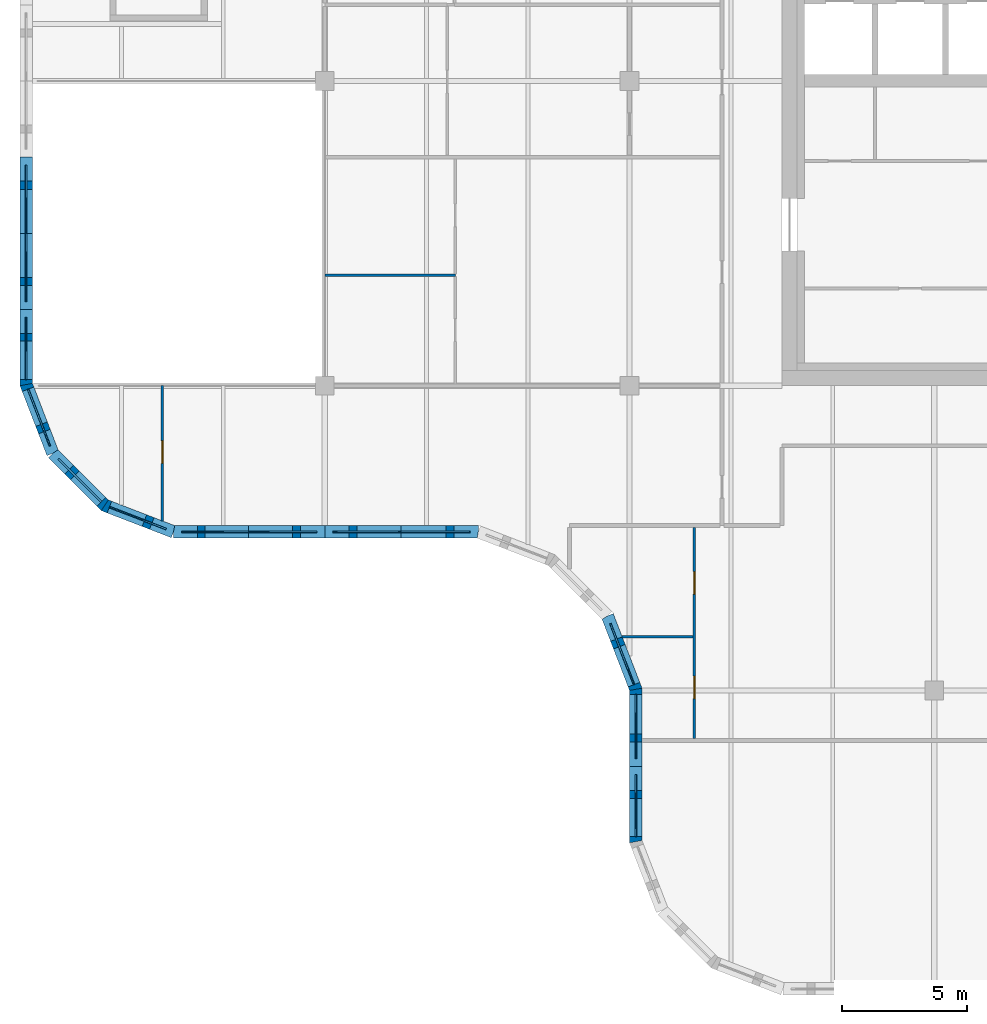
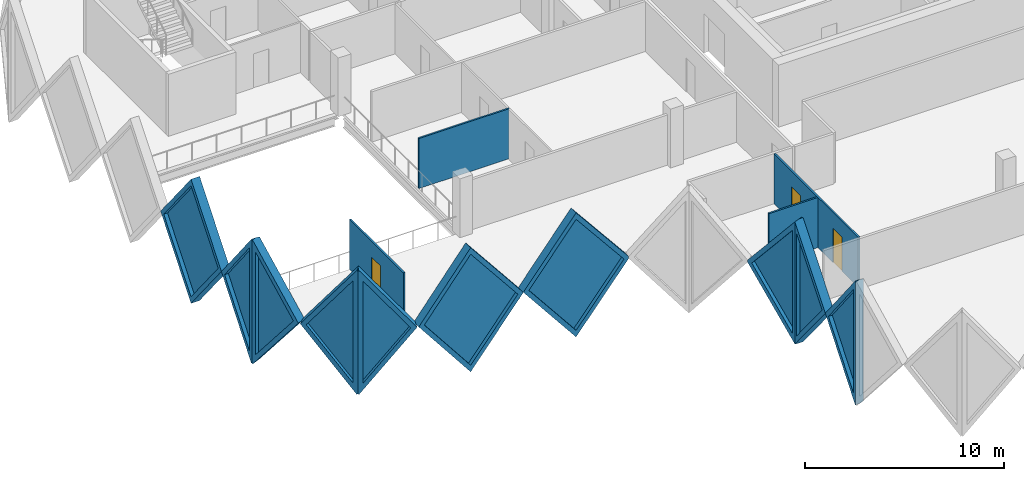
# One storey, part 3 of 12: 14 walls, 10 plates, 3 doors, 13 openings.
"""IFC4 building model written with IfcOpenShell, lengths in metres."""

from ifc_helpers import new_model, si_unit, direction, frame, frame_2d, origin, place, context, subcontext, project, spatial, polyline, rectangle, outline, extrude, faceted_brep, source, transform, mapped, material, layer, layer_set, type_object, element, fill, save


model = new_model("IFC4")

# Units and contexts
model_context = context("Model", 3, precision=1e-05, world=origin(), true_north=direction((0.0, 1.0)))
body_context = subcontext(model_context, "Body", "Model", "MODEL_VIEW")
ifc_project = project(units=[si_unit("LENGTHUNIT", "METRE"), si_unit("AREAUNIT", "SQUARE_METRE"), si_unit("VOLUMEUNIT", "CUBIC_METRE"), si_unit("PLANEANGLEUNIT", "RADIAN"), si_unit("MASSUNIT", "GRAM", prefix="KILO")], contexts=[model_context])

# Site, building, storey
site_placement = place(None, origin())
site = spatial("IfcSite", under=ifc_project, at=site_placement, CompositionType="ELEMENT")
building_placement = place(site_placement, origin())
building = spatial("IfcBuilding", under=site, at=building_placement, Name="Tessera Gate Towers", CompositionType="ELEMENT")
storey_placement = place(building_placement, frame((0.0, 0.0, 182.0)))
storey = spatial("IfcBuildingStorey", under=building, at=storey_placement, Name="L45", CompositionType="ELEMENT", Elevation=182.0)

# Wall, opening, door
ifc_material_1 = material(Name="Glass", Category="glass")
ifc_layer_1 = layer(ifc_material_1, 0.10009765625)
ifc_layer_set_1 = layer_set([ifc_layer_1], Name="GLAZED PARTITION 100")
wall_type_1 = type_object("IfcWallType", Name="GLAZED PARTITION 100", PredefinedType="PARTITIONING", material=ifc_layer_set_1)
wall_1_placement = place(storey_placement, frame((5.699951171875, 18.990234375, 0.0), z_axis=(0.0, 0.0, 1.0), x_axis=(0.0, 1.0, 0.0)))
wall_1 = element("IfcWall", 1, at=wall_1_placement, inside=storey, type_object=wall_type_1, Name="T1-L45-PW-019", PredefinedType="PARTITIONING", context=body_context, shape_type="SweptSolid", body=[
    extrude(rectangle(XDim=5.40966796875, YDim=0.10009765625, at=frame_2d((2.704833984375, 0.0))), origin(), (0.0, 0.0, 1.0), 3.06689453125),
])
shared_shape_1 = source(origin(), body_context, "Body", "SweptSolid", [
    extrude(rectangle(XDim=0.89990234375, YDim=2.10009765625, at=frame_2d((0.449951171875, 1.050048828125))), frame((0.0, 0.06005859375, 0.0), z_axis=(0.0, -1.0, 0.0), x_axis=(1.0, 0.0, 0.0)), (0.0, 0.0, 1.0), 0.1201171875),
])
opening_1_placement = place(wall_1_placement, frame((2.300048828125, 0.0, 0.0)))
opening_1 = element("IfcOpeningElement", 2, at=opening_1_placement, cuts=wall_1, Name="Opening D690-A16-03", PredefinedType="OPENING", context=body_context, shape_type="MappedRepresentation", body=[
    mapped(shared_shape_1, transform((0.0, 0.0, 0.0), scale=1.0)),
])
ifc_material_2 = material(Name="Glass in aluminium frame", Category="aluminium")
door_type_1 = type_object("IfcDoorType", Name="GLAZED DOOR 900 NOT RATED", OperationType="NOTDEFINED", PredefinedType="DOOR", material=ifc_material_2)
shared_shape_2 = source(origin(), body_context, "Body", "SweptSolid", [
    extrude(rectangle(XDim=0.89990234375, YDim=2.10009765625, at=frame_2d((0.449951171875, 1.050048828125))), frame((0.0, 0.02490234375, 0.0), z_axis=(0.0, -1.0, 0.0), x_axis=(1.0, 0.0, 0.0)), (0.0, 0.0, 1.0), 0.050048828125),
])
door_1_placement = place(opening_1_placement, origin())
door_1 = element("IfcDoor", 3, at=door_1_placement, inside=storey, type_object=door_type_1, Name="T1-L45-PD-015", OperationType="SINGLE_SWING_LEFT", OverallHeight=2.10009765625, OverallWidth=0.89990234375, PredefinedType="DOOR", context=body_context, shape_type="MappedRepresentation", body=[
    mapped(shared_shape_2, transform((0.0, 0.0, 0.0), scale=1.0)),
])
fill(opening_1, door_1)

# Wall, openings, doors
ifc_material_3 = material(Name="Gypsum board on steel studs", Category="steel")
ifc_layer_2 = layer(ifc_material_3, 0.10009765625)
ifc_layer_set_2 = layer_set([ifc_layer_2], Name="PARTITION 100")
wall_type_2 = type_object("IfcWallType", Name="PARTITION 100", PredefinedType="PARTITIONING", material=ifc_layer_set_2)
wall_2_placement = place(storey_placement, frame((27.0, 10.27587890625, 0.0), z_axis=(0.0, 0.0, 1.0), x_axis=(0.0, 1.0, 0.0)))
wall_2 = element("IfcWall", 4, at=wall_2_placement, inside=storey, type_object=wall_type_2, Name="T1-L45-PW-007", PredefinedType="PARTITIONING", context=body_context, shape_type="SweptSolid", body=[
    extrude(rectangle(XDim=8.4482421875, YDim=0.10009765625, at=frame_2d((4.22412109375, 0.0))), origin(), (0.0, 0.0, 1.0), 3.06689453125),
])
opening_2_placement = place(wall_2_placement, frame((1.60009765625, 0.0, 0.0)))
opening_2 = element("IfcOpeningElement", 5, at=opening_2_placement, cuts=wall_2, Name="Opening D190-A16-01", PredefinedType="OPENING", context=body_context, shape_type="MappedRepresentation", body=[
    mapped(shared_shape_1, transform((0.0, 0.0, 0.0), scale=1.0)),
])
opening_3_placement = place(wall_2_placement, frame((5.778564453125, 0.0, 0.0)))
opening_3 = element("IfcOpeningElement", 6, at=opening_3_placement, cuts=wall_2, Name="Opening D190-A16-04", PredefinedType="OPENING", context=body_context, shape_type="MappedRepresentation", body=[
    mapped(shared_shape_1, transform((0.0, 0.0, 0.0), scale=1.0)),
])
ifc_material_4 = material(Name="Timber door leaf in steel frame", Category="steel")
door_type_2 = type_object("IfcDoorType", Name="INTERNAL DOOR 900 NOT RATED", OperationType="NOTDEFINED", PredefinedType="DOOR", material=ifc_material_4)
door_2_placement = place(opening_2_placement, origin())
door_2 = element("IfcDoor", 7, at=door_2_placement, inside=storey, type_object=door_type_2, Name="T1-L45-PD-002", OperationType="SINGLE_SWING_LEFT", OverallHeight=2.10009765625, OverallWidth=0.89990234375, PredefinedType="DOOR", context=body_context, shape_type="MappedRepresentation", body=[
    mapped(shared_shape_2, transform((0.0, 0.0, 0.0), scale=1.0)),
])
fill(opening_2, door_2)
door_3_placement = place(opening_3_placement, origin())
door_3 = element("IfcDoor", 8, at=door_3_placement, inside=storey, type_object=door_type_2, Name="T1-L45-PD-005", OperationType="SINGLE_SWING_LEFT", OverallHeight=2.10009765625, OverallWidth=0.89990234375, PredefinedType="DOOR", context=body_context, shape_type="MappedRepresentation", body=[
    mapped(shared_shape_2, transform((0.0, 0.0, 0.0), scale=1.0)),
])
fill(opening_3, door_3)

# Walls
wall_3_placement = place(storey_placement, frame((24.104736328125, 14.35498046875, 0.0), z_axis=(0.0, 0.0, 1.0), x_axis=(1.0, 0.0, 0.0)))
element("IfcWall", 9, at=wall_3_placement, inside=storey, type_object=wall_type_2, Name="T1-L45-PW-010", PredefinedType="PARTITIONING", context=body_context, shape_type="SweptSolid", body=[
    extrude(rectangle(XDim=2.84423828125, YDim=0.10009765625, at=frame_2d((1.422119140625, 0.0))), origin(), (0.0, 0.0, 1.0), 3.06689453125),
])
wall_4_placement = place(storey_placement, frame((12.199951171875, 28.820068359375, 0.0), z_axis=(0.0, 0.0, 1.0), x_axis=(1.0, 0.0, 0.0)))
element("IfcWall", 10, at=wall_4_placement, inside=storey, type_object=wall_type_2, Name="T1-L45-PW-027", PredefinedType="PARTITIONING", context=body_context, shape_type="SweptSolid", body=[
    extrude(rectangle(XDim=5.22509765625, YDim=0.10009765625, at=frame_2d((2.612548828125, 0.0))), origin(), (0.0, 0.0, 1.0), 3.06689453125),
])

# Wall, opening, plate
ifc_material_5 = material(Name="Precast concrete C60/75 white", Category="concrete")
ifc_layer_3 = layer(ifc_material_5, 0.5)
ifc_layer_set_3 = layer_set([ifc_layer_3], Name="TS1 tessera")
wall_type_3 = type_object("IfcWallType", Name="TS1 tessera", PredefinedType="SOLIDWALL", material=ifc_layer_set_3)
shared_shape_3 = source(origin(), body_context, "Body", "Brep", [
    faceted_brep([(3.00341796875, -0.25, 0.0), (6.053466796875, -0.25, 3.800048828125), (3.00341796875, -0.25, 7.60009765625), (0.0, -0.25, 3.800048828125), (0.046630859375, 0.25, 3.85888671875), (3.00341796875, 0.25, 7.60009765625), (6.053466796875, 0.25, 3.800048828125), (3.00341796875, 0.25, 0.0), (0.046630859375, 0.25, 3.7412109375), (0.0, 0.0, 3.800048828125)], [[[0, 1, 2, 3]], [[4, 5, 6, 7, 8]], [[7, 6, 1, 0]], [[6, 5, 2, 1]], [[5, 4, 9, 3, 2]], [[8, 7, 0, 3, 9]], [[8, 9, 4]]]),
])
wall_5_placement = place(storey_placement, frame((6.146484375, 18.550048828125, -3.800048828125), z_axis=(0.0, 0.0, 1.0), x_axis=(1.0, 0.0, 0.0)))
wall_5 = element("IfcWall", 11, at=wall_5_placement, inside=storey, type_object=wall_type_3, Name="Precast tessera T1 TS1-0803", PredefinedType="SOLIDWALL", context=body_context, shape_type="MappedRepresentation", body=[
    mapped(shared_shape_3, transform((0.0, 0.0, 0.0), scale=1.0)),
])
shared_shape_4 = source(origin(), body_context, "Body", "SweptSolid", [
    extrude(outline(polyline([(3.0048828125, 0.4013671875), (5.73291015625, 3.800048828125), (3.0048828125, 7.19873046875), (0.318603515625, 3.800048828125), (3.0048828125, 0.4013671875)])), frame((0.0, 0.260009765625, 0.0), z_axis=(0.0, -1.0, 0.0), x_axis=(1.0, 0.0, 0.0)), (0.0, 0.0, 1.0), 0.52001953125),
])
opening_4_placement = place(wall_5_placement, origin())
opening_4 = element("IfcOpeningElement", 12, at=opening_4_placement, cuts=wall_5, Name="Opening T1-PL2-1635", PredefinedType="OPENING", context=body_context, shape_type="MappedRepresentation", body=[
    mapped(shared_shape_4, transform((0.0, 0.0, 0.0), scale=1.0)),
])
ifc_material_6 = material(Name="Low-e laminated glass", Category="glass")
ifc_layer_4 = layer(ifc_material_6, 0.06005859375)
ifc_layer_set_4 = layer_set([ifc_layer_4], Name="PL2 rhombic pane")
plate_type = type_object("IfcPlateType", Name="PL2 rhombic pane", PredefinedType="SHEET", material=ifc_layer_set_4)
shared_shape_5 = source(origin(), body_context, "Body", "SweptSolid", [
    extrude(outline(polyline([(3.0048828125, 0.4013671875), (5.73291015625, 3.800048828125), (3.0048828125, 7.19873046875), (0.318603515625, 3.800048828125), (3.0048828125, 0.4013671875)])), frame((0.0, 0.030029296875, 0.0), z_axis=(0.0, -1.0, 0.0), x_axis=(1.0, 0.0, 0.0)), (0.0, 0.0, 1.0), 0.06005859375),
])
plate_1_placement = place(opening_4_placement, origin())
plate_1 = element("IfcPlate", 13, at=plate_1_placement, inside=storey, type_object=plate_type, Name="Glass pane T1 PL2-1635", PredefinedType="SHEET", context=body_context, shape_type="MappedRepresentation", body=[
    mapped(shared_shape_5, transform((0.0, 0.0, 0.0), scale=1.0)),
])
fill(opening_4, plate_1)

shared_shape_6 = source(origin(), body_context, "Body", "SweptSolid", [
    extrude(outline(polyline([(3.050048828125, 0.0), (6.10009765625, 3.800048828125), (3.050048828125, 7.60009765625), (0.0, 3.800048828125), (3.050048828125, 0.0)])), frame((0.0, 0.25, 0.0), z_axis=(0.0, -1.0, 0.0), x_axis=(1.0, 0.0, 0.0)), (0.0, 0.0, 1.0), 0.5),
])
wall_6_placement = place(storey_placement, frame((0.25, 33.550048828125, -3.800048828125), z_axis=(0.0, 0.0, 1.0), x_axis=(0.0, -1.0, 0.0)))
wall_6 = element("IfcWall", 14, at=wall_6_placement, inside=storey, type_object=wall_type_3, Name="Precast tessera T1 TS1-0802", PredefinedType="SOLIDWALL", context=body_context, shape_type="MappedRepresentation", body=[
    mapped(shared_shape_6, transform((0.0, 0.0, 0.0), scale=1.0)),
])
shared_shape_7 = source(origin(), body_context, "Body", "SweptSolid", [
    extrude(outline(polyline([(3.050048828125, 0.3994140625), (5.779541015625, 3.800048828125), (3.050048828125, 7.20068359375), (0.320556640625, 3.800048828125), (3.050048828125, 0.3994140625)])), frame((0.0, 0.260009765625, 0.0), z_axis=(0.0, -1.0, 0.0), x_axis=(1.0, 0.0, 0.0)), (0.0, 0.0, 1.0), 0.52001953125),
])
opening_5_placement = place(wall_6_placement, origin())
opening_5 = element("IfcOpeningElement", 15, at=opening_5_placement, cuts=wall_6, Name="Opening T1-PL2-1630", PredefinedType="OPENING", context=body_context, shape_type="MappedRepresentation", body=[
    mapped(shared_shape_7, transform((0.0, 0.0, 0.0), scale=1.0)),
])
shared_shape_8 = source(origin(), body_context, "Body", "SweptSolid", [
    extrude(outline(polyline([(3.050048828125, 0.3994140625), (5.779541015625, 3.800048828125), (3.050048828125, 7.20068359375), (0.320556640625, 3.800048828125), (3.050048828125, 0.3994140625)])), frame((0.0, 0.030029296875, 0.0), z_axis=(0.0, -1.0, 0.0), x_axis=(1.0, 0.0, 0.0)), (0.0, 0.0, 1.0), 0.06005859375),
])
plate_2_placement = place(opening_5_placement, origin())
plate_2 = element("IfcPlate", 16, at=plate_2_placement, inside=storey, type_object=plate_type, Name="Glass pane T1 PL2-1630", PredefinedType="SHEET", context=body_context, shape_type="MappedRepresentation", body=[
    mapped(shared_shape_8, transform((0.0, 0.0, 0.0), scale=1.0)),
])
fill(opening_5, plate_2)

ifc_material_7 = material(Name="Precast concrete C60/75 white", Category="concrete")
ifc_layer_5 = layer(ifc_material_7, 0.5)
ifc_layer_set_5 = layer_set([ifc_layer_5], Name="TS3 corner tessera")
wall_type_4 = type_object("IfcWallType", Name="TS3 corner tessera", PredefinedType="SOLIDWALL", material=ifc_layer_set_5)
shared_shape_9 = source(origin(), body_context, "Body", "Brep", [
    faceted_brep([(3.00341796875, -0.25, 0.0), (3.050048828125, -0.25, 0.06005859375), (3.050048828125, -0.25, 7.5400390625), (3.00341796875, -0.25, 7.60009765625), (0.0, -0.25, 3.800048828125), (0.0, 0.25, 3.800048828125), (2.956787109375, 0.25, 7.541259765625), (2.956787109375, 0.25, 0.058837890625), (3.00341796875, 0.000244140625, 0.0), (3.00341796875, 0.000244140625, 7.60009765625)], [[[0, 1, 2, 3, 4]], [[5, 6, 7]], [[1, 0, 8]], [[9, 3, 2]], [[6, 5, 4, 3, 9]], [[5, 7, 8, 0, 4]], [[1, 8, 7, 6, 9, 2]]]),
])
wall_7_placement = place(storey_placement, frame((0.25, 27.449951171875, -3.800048828125), z_axis=(0.0, 0.0, 1.0), x_axis=(0.0, -1.0, 0.0)))
wall_7 = element("IfcWall", 17, at=wall_7_placement, inside=storey, type_object=wall_type_4, Name="Precast corner tessera T1 TS3-1045", PredefinedType="SOLIDWALL", context=body_context, shape_type="MappedRepresentation", body=[
    mapped(shared_shape_9, transform((0.0, 0.0, 0.0), scale=1.0)),
])
shared_shape_10 = source(origin(), body_context, "Body", "SweptSolid", [
    extrude(outline(polyline([(2.803466796875, 6.94384765625), (0.318603515625, 3.800048828125), (2.803466796875, 0.65625), (2.803466796875, 6.94384765625)])), frame((0.0, 0.260009765625, 0.0), z_axis=(0.0, -1.0, 0.0), x_axis=(1.0, 0.0, 0.0)), (0.0, 0.0, 1.0), 0.52001953125),
])
opening_6_placement = place(wall_7_placement, origin())
opening_6 = element("IfcOpeningElement", 18, at=opening_6_placement, cuts=wall_7, Name="Opening T1-PL2-1631", PredefinedType="OPENING", context=body_context, shape_type="MappedRepresentation", body=[
    mapped(shared_shape_10, transform((0.0, 0.0, 0.0), scale=1.0)),
])
shared_shape_11 = source(origin(), body_context, "Body", "SweptSolid", [
    extrude(outline(polyline([(2.803466796875, 6.94384765625), (0.318603515625, 3.800048828125), (2.803466796875, 0.65625), (2.803466796875, 6.94384765625)])), frame((0.0, 0.030029296875, 0.0), z_axis=(0.0, -1.0, 0.0), x_axis=(1.0, 0.0, 0.0)), (0.0, 0.0, 1.0), 0.06005859375),
])
plate_3_placement = place(opening_6_placement, origin())
plate_3 = element("IfcPlate", 19, at=plate_3_placement, inside=storey, type_object=plate_type, Name="Glass pane T1 PL2-1631", PredefinedType="SHEET", context=body_context, shape_type="MappedRepresentation", body=[
    mapped(shared_shape_11, transform((0.0, 0.0, 0.0), scale=1.0)),
])
fill(opening_6, plate_3)

wall_8_placement = place(storey_placement, frame((24.64990234375, 9.14990234375, -3.800048828125), z_axis=(0.0, 0.0, 1.0), x_axis=(0.0, -1.0, 0.0)))
wall_8 = element("IfcWall", 20, at=wall_8_placement, inside=storey, type_object=wall_type_4, Name="Precast corner tessera T1 TS3-1053", PredefinedType="SOLIDWALL", context=body_context, shape_type="MappedRepresentation", body=[
    mapped(shared_shape_9, transform((0.0, 0.0, 0.0), scale=1.0)),
])
opening_7_placement = place(wall_8_placement, origin())
opening_7 = element("IfcOpeningElement", 21, at=opening_7_placement, cuts=wall_8, Name="Opening T1-PL2-1641", PredefinedType="OPENING", context=body_context, shape_type="MappedRepresentation", body=[
    mapped(shared_shape_10, transform((0.0, 0.0, 0.0), scale=1.0)),
])
plate_4_placement = place(opening_7_placement, origin())
plate_4 = element("IfcPlate", 22, at=plate_4_placement, inside=storey, type_object=plate_type, Name="Glass pane T1 PL2-1641", PredefinedType="SHEET", context=body_context, shape_type="MappedRepresentation", body=[
    mapped(shared_shape_11, transform((0.0, 0.0, 0.0), scale=1.0)),
])
fill(opening_7, plate_4)

shared_shape_12 = source(origin(), body_context, "Body", "Brep", [
    faceted_brep([(0.046630859375, -0.25, 0.0), (2.9970703125, -0.25, 3.800048828125), (0.046630859375, -0.25, 7.60009765625), (0.0, -0.25, 7.541259765625), (0.0, -0.25, 0.058837890625), (0.09326171875, 0.25, 7.5400390625), (2.9443359375, 0.25, 3.8681640625), (2.9443359375, 0.25, 3.73193359375), (0.09326171875, 0.25, 0.06005859375), (2.9970703125, 0.00048828125, 3.800048828125), (0.046630859375, 0.0, 0.0), (0.046630859375, 0.0, 7.60009765625)], [[[0, 1, 2, 3, 4]], [[5, 6, 7, 8]], [[8, 7, 9, 1, 0, 10]], [[6, 5, 11, 2, 1, 9]], [[3, 2, 11]], [[10, 0, 4]], [[8, 10, 4, 3, 11, 5]], [[9, 7, 6]]]),
])
wall_9_placement = place(storey_placement, frame((0.233154296875, 24.489990234375, -3.800048828125), z_axis=(0.0, 0.0, 1.0), x_axis=(0.359901446078, -0.932990326376, 0.0)))
wall_9 = element("IfcWall", 23, at=wall_9_placement, inside=storey, type_object=wall_type_4, Name="Precast corner tessera T1 TS3-1046", PredefinedType="SOLIDWALL", context=body_context, shape_type="MappedRepresentation", body=[
    mapped(shared_shape_12, transform((0.0, 0.0, 0.0), scale=1.0)),
])
shared_shape_13 = source(origin(), body_context, "Body", "SweptSolid", [
    extrude(outline(polyline([(0.24658203125, 0.665283203125), (2.6806640625, 3.800048828125), (0.24658203125, 6.934814453125), (0.24658203125, 0.665283203125)])), frame((0.0, 0.260009765625, 0.0), z_axis=(0.0, -1.0, 0.0), x_axis=(1.0, 0.0, 0.0)), (0.0, 0.0, 1.0), 0.52001953125),
])
opening_8_placement = place(wall_9_placement, origin())
opening_8 = element("IfcOpeningElement", 24, at=opening_8_placement, cuts=wall_9, Name="Opening T1-PL2-1632", PredefinedType="OPENING", context=body_context, shape_type="MappedRepresentation", body=[
    mapped(shared_shape_13, transform((0.0, 0.0, 0.0), scale=1.0)),
])
shared_shape_14 = source(origin(), body_context, "Body", "SweptSolid", [
    extrude(outline(polyline([(0.24658203125, 0.665283203125), (2.6806640625, 3.800048828125), (0.24658203125, 6.934814453125), (0.24658203125, 0.665283203125)])), frame((0.0, 0.030029296875, 0.0), z_axis=(0.0, -1.0, 0.0), x_axis=(1.0, 0.0, 0.0)), (0.0, 0.0, 1.0), 0.06005859375),
])
plate_5_placement = place(opening_8_placement, origin())
plate_5 = element("IfcPlate", 25, at=plate_5_placement, inside=storey, type_object=plate_type, Name="Glass pane T1 PL2-1632", PredefinedType="SHEET", context=body_context, shape_type="MappedRepresentation", body=[
    mapped(shared_shape_14, transform((0.0, 0.0, 0.0), scale=1.0)),
])
fill(opening_8, plate_5)

shared_shape_15 = source(origin(), body_context, "Body", "Brep", [
    faceted_brep([(0.052978515625, -0.25, 0.0), (3.00341796875, -0.25, 3.800048828125), (0.052978515625, -0.25, 7.60009765625), (0.0, -0.25, 7.53173828125), (0.0, -0.25, 0.068359375), (0.10595703125, 0.25, 7.531982421875), (2.95703125, 0.25, 3.85986328125), (2.95703125, 0.25, 3.740234375), (0.10595703125, 0.25, 0.068115234375), (3.00341796875, 0.00048828125, 3.800048828125), (0.052978515625, 0.0, 0.0), (0.052978515625, 0.0, 7.60009765625)], [[[0, 1, 2, 3, 4]], [[5, 6, 7, 8]], [[8, 7, 9, 1, 0, 10]], [[6, 5, 11, 2, 1, 9]], [[3, 2, 11]], [[10, 0, 4]], [[8, 10, 4, 3, 11, 5]], [[9, 7, 6]]]),
])
wall_10_placement = place(storey_placement, frame((3.34423828125, 19.630859375, -3.800048828125), z_axis=(0.0, 0.0, 1.0), x_axis=(0.933007896601, -0.359855894603, 0.0)))
wall_10 = element("IfcWall", 26, at=wall_10_placement, inside=storey, type_object=wall_type_4, Name="Precast corner tessera T1 TS3-1048", PredefinedType="SOLIDWALL", context=body_context, shape_type="MappedRepresentation", body=[
    mapped(shared_shape_15, transform((0.0, 0.0, 0.0), scale=1.0)),
])
shared_shape_16 = source(origin(), body_context, "Body", "SweptSolid", [
    extrude(outline(polyline([(0.2529296875, 0.665283203125), (2.68701171875, 3.800048828125), (0.2529296875, 6.934814453125), (0.2529296875, 0.665283203125)])), frame((0.0, 0.260009765625, 0.0), z_axis=(0.0, -1.0, 0.0), x_axis=(1.0, 0.0, 0.0)), (0.0, 0.0, 1.0), 0.52001953125),
])
opening_9_placement = place(wall_10_placement, origin())
opening_9 = element("IfcOpeningElement", 27, at=opening_9_placement, cuts=wall_10, Name="Opening T1-PL2-1634", PredefinedType="OPENING", context=body_context, shape_type="MappedRepresentation", body=[
    mapped(shared_shape_16, transform((0.0, 0.0, 0.0), scale=1.0)),
])
shared_shape_17 = source(origin(), body_context, "Body", "SweptSolid", [
    extrude(outline(polyline([(0.2529296875, 0.665283203125), (2.68701171875, 3.800048828125), (0.2529296875, 6.934814453125), (0.2529296875, 0.665283203125)])), frame((0.0, 0.030029296875, 0.0), z_axis=(0.0, -1.0, 0.0), x_axis=(1.0, 0.0, 0.0)), (0.0, 0.0, 1.0), 0.06005859375),
])
plate_6_placement = place(opening_9_placement, origin())
plate_6 = element("IfcPlate", 28, at=plate_6_placement, inside=storey, type_object=plate_type, Name="Glass pane T1 PL2-1634", PredefinedType="SHEET", context=body_context, shape_type="MappedRepresentation", body=[
    mapped(shared_shape_17, transform((0.0, 0.0, 0.0), scale=1.0)),
])
fill(opening_9, plate_6)

shared_shape_18 = source(origin(), body_context, "Body", "Brep", [
    faceted_brep([(2.944091796875, -0.25, 0.0), (2.9970703125, -0.25, 0.068115234375), (2.9970703125, -0.25, 7.531982421875), (2.944091796875, -0.25, 7.60009765625), (0.0, -0.25, 3.800048828125), (0.052978515625, 0.25, 3.868408203125), (2.89111328125, 0.25, 7.531982421875), (2.89111328125, 0.25, 0.068115234375), (0.052978515625, 0.25, 3.731689453125), (2.944091796875, 0.000244140625, 0.0), (2.944091796875, 0.000244140625, 7.60009765625), (0.0, 0.0, 3.800048828125)], [[[0, 1, 2, 3, 4]], [[5, 6, 7, 8]], [[1, 0, 9]], [[10, 3, 2]], [[6, 5, 11, 4, 3, 10]], [[8, 7, 9, 0, 4, 11]], [[8, 11, 5]], [[1, 9, 7, 6, 10, 2]]]),
])
wall_11_placement = place(storey_placement, frame((1.31201171875, 21.69384765625, -3.800048828125), z_axis=(0.0, 0.0, 1.0), x_axis=(0.707066050402, -0.707147509625, 0.0)))
wall_11 = element("IfcWall", 29, at=wall_11_placement, inside=storey, type_object=wall_type_4, Name="Precast corner tessera T1 TS3-1047", PredefinedType="SOLIDWALL", context=body_context, shape_type="MappedRepresentation", body=[
    mapped(shared_shape_18, transform((0.0, 0.0, 0.0), scale=1.0)),
])
shared_shape_19 = source(origin(), body_context, "Body", "SweptSolid", [
    extrude(outline(polyline([(2.744140625, 6.933837890625), (0.316162109375, 3.800048828125), (2.744140625, 0.666259765625), (2.744140625, 6.933837890625)])), frame((0.0, 0.260009765625, 0.0), z_axis=(0.0, -1.0, 0.0), x_axis=(1.0, 0.0, 0.0)), (0.0, 0.0, 1.0), 0.52001953125),
])
opening_10_placement = place(wall_11_placement, origin())
opening_10 = element("IfcOpeningElement", 30, at=opening_10_placement, cuts=wall_11, Name="Opening T1-PL2-1633", PredefinedType="OPENING", context=body_context, shape_type="MappedRepresentation", body=[
    mapped(shared_shape_19, transform((0.0, 0.0, 0.0), scale=1.0)),
])
shared_shape_20 = source(origin(), body_context, "Body", "SweptSolid", [
    extrude(outline(polyline([(2.744140625, 6.933837890625), (0.316162109375, 3.800048828125), (2.744140625, 0.666259765625), (2.744140625, 6.933837890625)])), frame((0.0, 0.030029296875, 0.0), z_axis=(0.0, -1.0, 0.0), x_axis=(1.0, 0.0, 0.0)), (0.0, 0.0, 1.0), 0.06005859375),
])
plate_7_placement = place(opening_10_placement, origin())
plate_7 = element("IfcPlate", 31, at=plate_7_placement, inside=storey, type_object=plate_type, Name="Glass pane T1 PL2-1633", PredefinedType="SHEET", context=body_context, shape_type="MappedRepresentation", body=[
    mapped(shared_shape_20, transform((0.0, 0.0, 0.0), scale=1.0)),
])
fill(opening_10, plate_7)

shared_shape_21 = source(origin(), body_context, "Body", "Brep", [
    faceted_brep([(3.050048828125, -0.25, 0.0), (6.10009765625, -0.25, 3.742919921875), (6.10009765625, -0.25, 3.857177734375), (3.050048828125, -0.25, 7.60009765625), (0.0, -0.25, 3.800048828125), (0.0, 0.25, 3.800048828125), (3.050048828125, 0.25, 7.60009765625), (6.146484375, 0.25, 3.800048828125), (3.050048828125, 0.25, 0.0), (6.146484375, -0.000244140625, 3.800048828125)], [[[0, 1, 2, 3, 4]], [[5, 6, 7, 8]], [[8, 7, 9, 1, 0]], [[7, 6, 3, 2, 9]], [[6, 5, 4, 3]], [[5, 8, 0, 4]], [[1, 9, 2]]]),
])
wall_12_placement = place(storey_placement, frame((12.199951171875, 18.550048828125, -3.800048828125), z_axis=(0.0, 0.0, 1.0), x_axis=(1.0, 0.0, 0.0)))
wall_12 = element("IfcWall", 32, at=wall_12_placement, inside=storey, type_object=wall_type_3, Name="Precast tessera T1 TS1-0804", PredefinedType="SOLIDWALL", context=body_context, shape_type="MappedRepresentation", body=[
    mapped(shared_shape_21, transform((0.0, 0.0, 0.0), scale=1.0)),
])
shared_shape_22 = source(origin(), body_context, "Body", "SweptSolid", [
    extrude(outline(polyline([(3.051513671875, 0.397705078125), (5.823974609375, 3.800048828125), (3.051513671875, 7.202392578125), (0.320556640625, 3.800048828125), (3.051513671875, 0.397705078125)])), frame((0.0, 0.260009765625, 0.0), z_axis=(0.0, -1.0, 0.0), x_axis=(1.0, 0.0, 0.0)), (0.0, 0.0, 1.0), 0.52001953125),
])
opening_11_placement = place(wall_12_placement, origin())
opening_11 = element("IfcOpeningElement", 33, at=opening_11_placement, cuts=wall_12, Name="Opening T1-PL2-1636", PredefinedType="OPENING", context=body_context, shape_type="MappedRepresentation", body=[
    mapped(shared_shape_22, transform((0.0, 0.0, 0.0), scale=1.0)),
])
shared_shape_23 = source(origin(), body_context, "Body", "SweptSolid", [
    extrude(outline(polyline([(3.051513671875, 0.397705078125), (5.823974609375, 3.800048828125), (3.051513671875, 7.202392578125), (0.320556640625, 3.800048828125), (3.051513671875, 0.397705078125)])), frame((0.0, 0.030029296875, 0.0), z_axis=(0.0, -1.0, 0.0), x_axis=(1.0, 0.0, 0.0)), (0.0, 0.0, 1.0), 0.06005859375),
])
plate_8_placement = place(opening_11_placement, origin())
plate_8 = element("IfcPlate", 34, at=plate_8_placement, inside=storey, type_object=plate_type, Name="Glass pane T1 PL2-1636", PredefinedType="SHEET", context=body_context, shape_type="MappedRepresentation", body=[
    mapped(shared_shape_23, transform((0.0, 0.0, 0.0), scale=1.0)),
])
fill(opening_11, plate_8)

shared_shape_24 = source(origin(), body_context, "Body", "Brep", [
    faceted_brep([(3.10302734375, -0.25, 7.5439453125), (0.052978515625, -0.25, 3.864013671875), (0.052978515625, -0.25, 3.736083984375), (3.10302734375, -0.25, 0.05615234375), (0.0, 0.25, 3.800048828125), (3.1494140625, 0.25, 7.60009765625), (3.196044921875, 0.25, 7.54296875), (3.196044921875, 0.25, 0.05712890625), (3.1494140625, 0.25, 0.0), (3.1494140625, -0.000244140625, 0.0), (3.1494140625, -0.000244140625, 7.60009765625), (0.0, 0.0, 3.800048828125)], [[[0, 1, 2, 3]], [[4, 5, 6, 7, 8]], [[8, 7, 9]], [[6, 5, 10]], [[5, 4, 11, 1, 0, 10]], [[4, 8, 9, 3, 2, 11]], [[11, 2, 1]], [[3, 9, 7, 6, 10, 0]]]),
])
wall_13_placement = place(storey_placement, frame((23.5166015625, 15.18505859375, -3.800048828125), z_axis=(0.0, 0.0, 1.0), x_axis=(0.359864468756, -0.933004589553, 0.0)))
wall_13 = element("IfcWall", 35, at=wall_13_placement, inside=storey, type_object=wall_type_4, Name="Precast corner tessera T1 TS3-1051", PredefinedType="SOLIDWALL", context=body_context, shape_type="MappedRepresentation", body=[
    mapped(shared_shape_24, transform((0.0, 0.0, 0.0), scale=1.0)),
])
shared_shape_25 = source(origin(), body_context, "Body", "SweptSolid", [
    extrude(outline(polyline([(2.949462890625, 6.967041015625), (0.32470703125, 3.800048828125), (2.949462890625, 0.633056640625), (2.949462890625, 6.967041015625)])), frame((0.0, 0.260009765625, 0.0), z_axis=(0.0, -1.0, 0.0), x_axis=(1.0, 0.0, 0.0)), (0.0, 0.0, 1.0), 0.52001953125),
])
opening_12_placement = place(wall_13_placement, origin())
opening_12 = element("IfcOpeningElement", 36, at=opening_12_placement, cuts=wall_13, Name="Opening T1-PL2-1639", PredefinedType="OPENING", context=body_context, shape_type="MappedRepresentation", body=[
    mapped(shared_shape_25, transform((0.0, 0.0, 0.0), scale=1.0)),
])
shared_shape_26 = source(origin(), body_context, "Body", "SweptSolid", [
    extrude(outline(polyline([(2.949462890625, 6.967041015625), (0.32470703125, 3.800048828125), (2.949462890625, 0.633056640625), (2.949462890625, 6.967041015625)])), frame((0.0, 0.030029296875, 0.0), z_axis=(0.0, -1.0, 0.0), x_axis=(1.0, 0.0, 0.0)), (0.0, 0.0, 1.0), 0.06005859375),
])
plate_9_placement = place(opening_12_placement, origin())
plate_9 = element("IfcPlate", 37, at=plate_9_placement, inside=storey, type_object=plate_type, Name="Glass pane T1 PL2-1639", PredefinedType="SHEET", context=body_context, shape_type="MappedRepresentation", body=[
    mapped(shared_shape_26, transform((0.0, 0.0, 0.0), scale=1.0)),
])
fill(opening_12, plate_9)

shared_shape_27 = source(origin(), body_context, "Body", "Brep", [
    faceted_brep([(0.09326171875, -0.25, 0.05712890625), (3.14306640625, -0.25, 3.800048828125), (0.09326171875, -0.25, 7.54296875), (0.0, 0.25, 7.5439453125), (0.046630859375, 0.25, 7.60009765625), (3.14306640625, 0.25, 3.800048828125), (0.046630859375, 0.25, 0.0), (0.0, 0.25, 0.05615234375), (0.046630859375, 0.0, 0.0), (0.046630859375, 0.0, 7.60009765625)], [[[0, 1, 2]], [[3, 4, 5, 6, 7]], [[6, 5, 1, 0, 8]], [[5, 4, 9, 2, 1]], [[4, 3, 9]], [[7, 6, 8]], [[7, 8, 0, 2, 9, 3]]]),
])
wall_14_placement = place(storey_placement, frame((24.64990234375, 12.293212890625, -3.800048828125), z_axis=(0.0, 0.0, 1.0), x_axis=(0.0, -1.0, 0.0)))
wall_14 = element("IfcWall", 38, at=wall_14_placement, inside=storey, type_object=wall_type_4, Name="Precast corner tessera T1 TS3-1052", PredefinedType="SOLIDWALL", context=body_context, shape_type="MappedRepresentation", body=[
    mapped(shared_shape_27, transform((0.0, 0.0, 0.0), scale=1.0)),
])
shared_shape_28 = source(origin(), body_context, "Body", "SweptSolid", [
    extrude(outline(polyline([(0.24658203125, 0.641357421875), (2.82080078125, 3.800048828125), (0.24658203125, 6.958740234375), (0.24658203125, 0.641357421875)])), frame((0.0, 0.260009765625, 0.0), z_axis=(0.0, -1.0, 0.0), x_axis=(1.0, 0.0, 0.0)), (0.0, 0.0, 1.0), 0.52001953125),
])
opening_13_placement = place(wall_14_placement, origin())
opening_13 = element("IfcOpeningElement", 39, at=opening_13_placement, cuts=wall_14, Name="Opening T1-PL2-1640", PredefinedType="OPENING", context=body_context, shape_type="MappedRepresentation", body=[
    mapped(shared_shape_28, transform((0.0, 0.0, 0.0), scale=1.0)),
])
shared_shape_29 = source(origin(), body_context, "Body", "SweptSolid", [
    extrude(outline(polyline([(0.24658203125, 0.641357421875), (2.82080078125, 3.800048828125), (0.24658203125, 6.958740234375), (0.24658203125, 0.641357421875)])), frame((0.0, 0.030029296875, 0.0), z_axis=(0.0, -1.0, 0.0), x_axis=(1.0, 0.0, 0.0)), (0.0, 0.0, 1.0), 0.06005859375),
])
plate_10_placement = place(opening_13_placement, origin())
plate_10 = element("IfcPlate", 40, at=plate_10_placement, inside=storey, type_object=plate_type, Name="Glass pane T1 PL2-1640", PredefinedType="SHEET", context=body_context, shape_type="MappedRepresentation", body=[
    mapped(shared_shape_29, transform((0.0, 0.0, 0.0), scale=1.0)),
])
fill(opening_13, plate_10)

save(model, "model.ifc")
